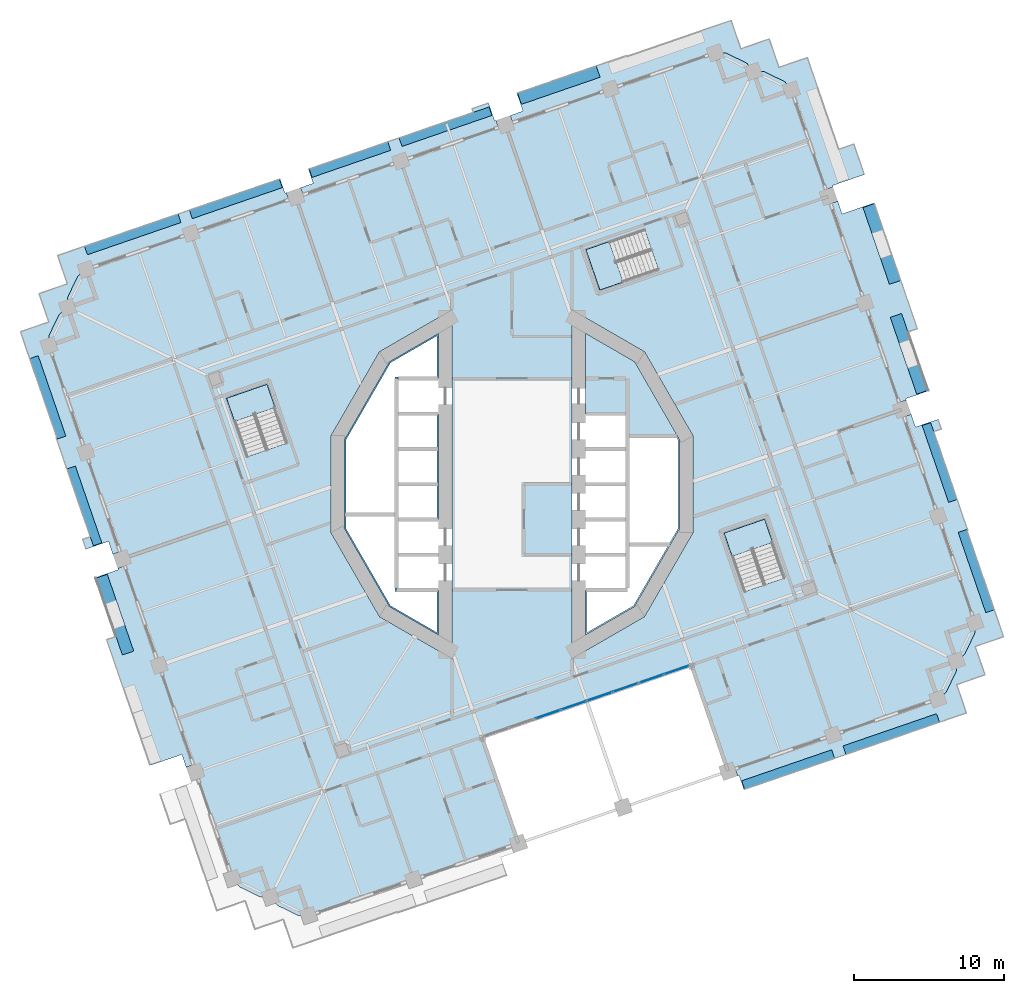
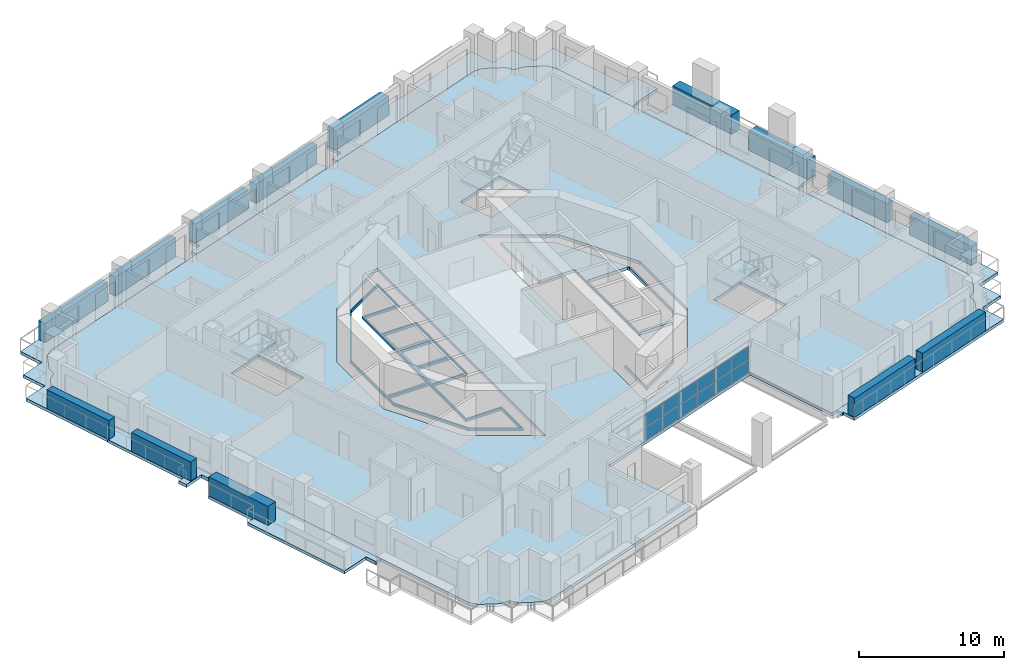
# One storey, part 7 of 22: 26 plates, 12 slabs, 4 elements without a shape of their own.
"""IFC4 building model written with IfcOpenShell, lengths in metres."""

from ifc_helpers import new_model, si_unit, direction, frame, origin, origin_2d, place, context, subcontext, project, spatial, polyline, rectangle, outline, extrude, material, layer, layer_set, type_object, element, aggregate, save


model = new_model("IFC4")

# Units and contexts
model_context = context("Model", 3, precision=1e-05, world=origin(), true_north=direction((0.0, 1.0)))
body_context = subcontext(model_context, "Body", "Model", "MODEL_VIEW")
ifc_project = project(units=[si_unit("LENGTHUNIT", "METRE"), si_unit("AREAUNIT", "SQUARE_METRE"), si_unit("VOLUMEUNIT", "CUBIC_METRE"), si_unit("PLANEANGLEUNIT", "RADIAN"), si_unit("MASSUNIT", "GRAM", prefix="KILO")], contexts=[model_context])

# Site, building, storey
site_placement = place(None, origin())
site = spatial("IfcSite", under=ifc_project, at=site_placement, CompositionType="ELEMENT")
building_placement = place(site_placement, origin())
building = spatial("IfcBuilding", under=site, at=building_placement, Name="Cantera Rosa Tower", CompositionType="ELEMENT")
storey_placement = place(building_placement, frame((0.0, 0.0, 107.89990234375)))
storey = spatial("IfcBuildingStorey", under=building, at=storey_placement, Name="L21", CompositionType="ELEMENT", Elevation=107.89990234375)

# Slabs
ifc_material_1 = material(Name="Concrete C35/45", Category="concrete")
ifc_layer_1 = layer(ifc_material_1, 0.25)
ifc_layer_set_1 = layer_set([ifc_layer_1], Name="COMPOSITE FLOOR SLAB 250 C35/45")
slab_type_1 = type_object("IfcSlabType", Name="COMPOSITE FLOOR SLAB 250 C35/45", PredefinedType="FLOOR", material=ifc_layer_set_1)
slab_1_placement = place(storey_placement, frame((0.0, 0.0, -0.25)))
element("IfcSlab", 1, at=slab_1_placement, inside=storey, type_object=slab_type_1, Name="SLAB L21 floor 1", PredefinedType="FLOOR", context=body_context, shape_type="SweptSolid", body=[
    extrude(outline(polyline([(-7.699951171875, -7.050048828125), (-4.89990234375, -7.050048828125), (-4.89990234375, -10.07373046875), (-8.179931640625, -8.179931640625), (-11.174072265625, -2.994140625), (-11.174072265625, 2.994140625), (-8.179931640625, 8.179931640625), (-4.89990234375, 10.07373046875), (-4.89990234375, 7.050048828125), (-7.699951171875, 7.050048828125), (-7.699951171875, 4.699951171875), (-4.89990234375, 4.699951171875), (-4.89990234375, -2.35009765625), (-7.699951171875, -2.35009765625), (-7.699951171875, -4.699951171875), (-7.699951171875, -7.050048828125)]), holes=[polyline([(-5.0, -9.900390625), (-5.0, -7.14990234375), (-7.800048828125, -7.14990234375), (-7.800048828125, -2.449951171875), (-7.800048828125, -2.25), (-7.800048828125, -2.11474609375), (-11.07421875, -2.11474609375), (-11.07421875, -2.96728515625), (-8.106689453125, -8.106689453125), (-5.0, -9.900390625)]), polyline([(-7.60009765625, -0.10009765625), (-7.60009765625, -2.25), (-5.0, -2.25), (-5.0, -0.10009765625), (-7.60009765625, -0.10009765625)]), polyline([(-7.60009765625, 0.10009765625), (-5.0, 0.10009765625), (-5.0, 2.25), (-7.60009765625, 2.25), (-7.60009765625, 0.10009765625)]), polyline([(-7.60009765625, 2.449951171875), (-5.0, 2.449951171875), (-5.0, 4.60009765625), (-7.60009765625, 4.60009765625), (-7.60009765625, 2.449951171875)]), polyline([(-8.106689453125, 8.106689453125), (-11.07421875, 2.96728515625), (-11.07421875, -1.914794921875), (-7.800048828125, -1.914794921875), (-7.800048828125, 2.25), (-7.800048828125, 2.449951171875), (-7.800048828125, 7.14990234375), (-5.0, 7.14990234375), (-5.0, 9.900390625), (-8.106689453125, 8.106689453125)])]), origin(), (0.0, 0.0, 1.0), 0.25),
])
slab_2_placement = place(storey_placement, frame((0.0, 0.0, -0.25)))
element("IfcSlab", 2, at=slab_2_placement, inside=storey, type_object=slab_type_1, Name="SLAB L21 floor 2", PredefinedType="FLOOR", context=body_context, shape_type="SweptSolid", body=[
    extrude(outline(polyline([(-14.334716796875, -28.7451171875), (-15.605712890625, -28.125), (-15.631591796875, -28.111083984375), (-15.65576171875, -28.09423828125), (-15.67822265625, -28.075439453125), (-15.698974609375, -28.05419921875), (-16.109619140625, -27.54541015625), (-16.763671875, -27.534912109375), (-16.79296875, -27.53173828125), (-16.82177734375, -27.525634765625), (-16.849609375, -27.516845703125), (-16.876708984375, -27.505126953125), (-18.14794921875, -26.88525390625), (-18.173583984375, -26.87109375), (-18.197998046875, -26.8544921875), (-18.220458984375, -26.83544921875), (-18.240966796875, -26.814453125), (-18.65185546875, -26.3056640625), (-18.948974609375, -25.443115234375), (-30.893310546875, 9.245849609375), (-30.8828125, 9.899658203125), (-30.87939453125, 9.928955078125), (-30.873291015625, 9.957763671875), (-30.864501953125, 9.98583984375), (-30.852783203125, 10.012939453125), (-30.23291015625, 11.283935546875), (-30.21875, 11.309814453125), (-30.2021484375, 11.333984375), (-30.18310546875, 11.356689453125), (-30.162109375, 11.377197265625), (-29.6533203125, 11.7880859375), (-29.642822265625, 12.44189453125), (-29.6396484375, 12.47119140625), (-29.633544921875, 12.5), (-29.62451171875, 12.528076171875), (-29.613037109375, 12.55517578125), (-28.9931640625, 13.826171875), (-28.97900390625, 13.85205078125), (-28.962158203125, 13.876220703125), (-28.943359375, 13.898681640625), (-28.922119140625, 13.91943359375), (-28.41357421875, 14.330078125), (-27.55078125, 14.627197265625), (13.567626953125, 28.785400390625), (14.221435546875, 28.77490234375), (14.250732421875, 28.771728515625), (14.279541015625, 28.765625), (14.3076171875, 28.756591796875), (14.334716796875, 28.7451171875), (15.605712890625, 28.125), (15.631591796875, 28.111083984375), (15.65576171875, 28.09423828125), (15.67822265625, 28.075439453125), (15.698974609375, 28.05419921875), (16.109619140625, 27.54541015625), (16.763671875, 27.534912109375), (16.79296875, 27.53173828125), (16.82177734375, 27.525634765625), (16.849609375, 27.516845703125), (16.876708984375, 27.505126953125), (18.14794921875, 26.88525390625), (18.173583984375, 26.87109375), (18.197998046875, 26.8544921875), (18.220458984375, 26.83544921875), (18.240966796875, 26.814453125), (18.65185546875, 26.3056640625), (18.948974609375, 25.443115234375), (30.893310546875, -9.245849609375), (30.8828125, -9.899658203125), (30.87939453125, -9.928955078125), (30.873291015625, -9.957763671875), (30.864501953125, -9.98583984375), (30.852783203125, -10.012939453125), (30.23291015625, -11.283935546875), (30.21875, -11.309814453125), (30.2021484375, -11.333984375), (30.18310546875, -11.356689453125), (30.162109375, -11.377197265625), (29.6533203125, -11.7880859375), (29.642822265625, -12.44189453125), (29.6396484375, -12.47119140625), (29.633544921875, -12.5), (29.62451171875, -12.528076171875), (29.613037109375, -12.55517578125), (28.9931640625, -13.826171875), (28.97900390625, -13.85205078125), (28.962158203125, -13.876220703125), (28.943359375, -13.898681640625), (28.922119140625, -13.91943359375), (28.41357421875, -14.330078125), (27.55078125, -14.627197265625), (14.419921875, -19.148681640625), (11.97802734375, -12.05712890625), (-2.015625, -16.87548828125), (0.426025390625, -23.967041015625), (-13.567626953125, -28.785400390625), (-14.221435546875, -28.77490234375), (-14.250732421875, -28.771728515625), (-14.279541015625, -28.765625), (-14.3076171875, -28.756591796875), (-14.334716796875, -28.7451171875)]), holes=[polyline([(-8.8388671875, 8.8388671875), (-12.07421875, 3.235107421875), (-12.07421875, -3.235107421875), (-8.8388671875, -8.8388671875), (-4.0, -11.632568359375), (-4.0, 11.632568359375), (-8.8388671875, 8.8388671875)]), polyline([(-17.695556640625, 1.82373046875), (-15.000732421875, 2.751708984375), (-16.347900390625, 6.6640625), (-19.042724609375, 5.736083984375), (-17.695556640625, 1.82373046875)]), polyline([(15.50439453125, -7.17626953125), (18.19921875, -6.248291015625), (16.85205078125, -2.3359375), (14.1572265625, -3.263916015625), (15.50439453125, -7.17626953125)]), polyline([(4.0, -11.632568359375), (8.8388671875, -8.8388671875), (12.07421875, -3.235107421875), (12.07421875, 3.235107421875), (8.8388671875, 8.8388671875), (4.0, 11.632568359375), (4.0, -11.632568359375)]), polyline([(9.7763671875, 14.304443359375), (8.848388671875, 16.999267578125), (4.935791015625, 15.652099609375), (5.86376953125, 12.957275390625), (9.7763671875, 14.304443359375)])]), origin(), (0.0, 0.0, 1.0), 0.25),
])
slab_3_placement = place(storey_placement, frame((0.0, 0.0, -0.25)))
element("IfcSlab", 3, at=slab_3_placement, inside=storey, type_object=slab_type_1, Name="SLAB L21 floor 3", PredefinedType="FLOOR", context=body_context, shape_type="SweptSolid", body=[
    extrude(outline(polyline([(4.89990234375, 4.699951171875), (4.89990234375, 10.07373046875), (8.179931640625, 8.179931640625), (11.174072265625, 2.994140625), (11.174072265625, -2.994140625), (8.179931640625, -8.179931640625), (4.89990234375, -10.07373046875), (4.89990234375, -7.050048828125), (5.0927734375, -7.050048828125), (5.0, -7.14990234375), (5.0, -9.900390625), (8.106689453125, -8.106689453125), (10.403076171875, -4.12939453125), (7.800048828125, -4.12939453125), (7.699951171875, -4.2373046875), (7.699951171875, -2.35009765625), (7.699951171875, 0.0), (7.699951171875, 2.35009765625), (7.699951171875, 4.699951171875), (4.89990234375, 4.699951171875)]), holes=[polyline([(7.800048828125, 3.12353515625), (7.800048828125, 2.449951171875), (7.800048828125, 2.25), (7.800048828125, -2.25), (7.800048828125, -2.449951171875), (7.800048828125, -3.929443359375), (10.5185546875, -3.929443359375), (11.07421875, -2.96728515625), (11.07421875, 2.96728515625), (10.98388671875, 3.12353515625), (7.800048828125, 3.12353515625)])]), origin(), (0.0, 0.0, 1.0), 0.25),
])

# Curtain wall, plates
ifc_material_2 = material(Name="Aluminium frame with clear glass", Category="aluminium")
curtain_wall_type = type_object("IfcCurtainWallType", Name="CW1 TERRACE POCKET GLAZING", PredefinedType="NOTDEFINED", material=ifc_material_2)
curtain_wall_placement = place(storey_placement, origin())
curtain_wall = element("IfcCurtainWall", 4, at=curtain_wall_placement, inside=storey, type_object=curtain_wall_type, Name="CW1 CW1", PredefinedType="NOTDEFINED")
ifc_material_3 = material(Name="Aluminium frame with clear glass", Category="aluminium")
ifc_layer_2 = layer(ifc_material_3, 0.028076171875)
ifc_layer_set_2 = layer_set([ifc_layer_2], Name="CW-PANEL POCKET")
plate_type_1 = type_object("IfcPlateType", Name="CW-PANEL POCKET", PredefinedType="CURTAIN_PANEL", material=ifc_layer_set_2)
plate_1_placement = place(storey_placement, frame((2.401611328125, -15.354736328125, 0.06005859375), z_axis=(0.0, 0.0, 1.0), x_axis=(0.945518575605, 0.325568154441, 0.0)))
plate_1 = element("IfcPlate", 5, at=plate_1_placement, type_object=plate_type_1, Name="CW1 panel 3.1", PredefinedType="CURTAIN_PANEL", context=body_context, shape_type="SweptSolid", body=[
    extrude(rectangle(XDim=1.7587890625, YDim=0.028076171875, at=origin_2d()), origin(), (0.0, 0.0, 1.0), 1.0791015625),
])
plate_2_placement = place(storey_placement, frame((2.401611328125, -15.354736328125, 1.198974609375), z_axis=(0.0, 0.0, 1.0), x_axis=(0.945518575605, 0.325568154441, 0.0)))
plate_2 = element("IfcPlate", 6, at=plate_2_placement, type_object=plate_type_1, Name="CW1 panel 3.2", PredefinedType="CURTAIN_PANEL", context=body_context, shape_type="SweptSolid", body=[
    extrude(rectangle(XDim=1.7587890625, YDim=0.028076171875, at=origin_2d()), origin(), (0.0, 0.0, 1.0), 1.0791015625),
])
plate_3_placement = place(storey_placement, frame((4.121337890625, -14.762451171875, 0.06005859375), z_axis=(0.0, 0.0, 1.0), x_axis=(0.945518575605, 0.325568154441, 0.0)))
plate_3 = element("IfcPlate", 7, at=plate_3_placement, type_object=plate_type_1, Name="CW1 panel 4.1", PredefinedType="CURTAIN_PANEL", context=body_context, shape_type="SweptSolid", body=[
    extrude(rectangle(XDim=1.7587890625, YDim=0.028076171875, at=origin_2d()), origin(), (0.0, 0.0, 1.0), 1.0791015625),
])
plate_4_placement = place(storey_placement, frame((4.121337890625, -14.762451171875, 1.198974609375), z_axis=(0.0, 0.0, 1.0), x_axis=(0.945518575605, 0.325568154441, 0.0)))
plate_4 = element("IfcPlate", 8, at=plate_4_placement, type_object=plate_type_1, Name="CW1 panel 4.2", PredefinedType="CURTAIN_PANEL", context=body_context, shape_type="SweptSolid", body=[
    extrude(rectangle(XDim=1.7587890625, YDim=0.028076171875, at=origin_2d()), origin(), (0.0, 0.0, 1.0), 1.0791015625),
])
plate_5_placement = place(storey_placement, frame((5.841064453125, -14.17041015625, 0.06005859375), z_axis=(0.0, 0.0, 1.0), x_axis=(0.945518575605, 0.325568154441, 0.0)))
plate_5 = element("IfcPlate", 9, at=plate_5_placement, type_object=plate_type_1, Name="CW1 panel 5.1", PredefinedType="CURTAIN_PANEL", context=body_context, shape_type="SweptSolid", body=[
    extrude(rectangle(XDim=1.7587890625, YDim=0.028076171875, at=origin_2d()), origin(), (0.0, 0.0, 1.0), 1.0791015625),
])
plate_6_placement = place(storey_placement, frame((5.841064453125, -14.17041015625, 1.198974609375), z_axis=(0.0, 0.0, 1.0), x_axis=(0.945518575605, 0.325568154441, 0.0)))
plate_6 = element("IfcPlate", 10, at=plate_6_placement, type_object=plate_type_1, Name="CW1 panel 5.2", PredefinedType="CURTAIN_PANEL", context=body_context, shape_type="SweptSolid", body=[
    extrude(rectangle(XDim=1.7587890625, YDim=0.028076171875, at=origin_2d()), origin(), (0.0, 0.0, 1.0), 1.0791015625),
])
plate_7_placement = place(storey_placement, frame((7.560791015625, -13.578125, 0.06005859375), z_axis=(0.0, 0.0, 1.0), x_axis=(0.945518575605, 0.325568154441, 0.0)))
plate_7 = element("IfcPlate", 11, at=plate_7_placement, type_object=plate_type_1, Name="CW1 panel 6.1", PredefinedType="CURTAIN_PANEL", context=body_context, shape_type="SweptSolid", body=[
    extrude(rectangle(XDim=1.7587890625, YDim=0.028076171875, at=origin_2d()), origin(), (0.0, 0.0, 1.0), 1.0791015625),
])
plate_8_placement = place(storey_placement, frame((7.560791015625, -13.578125, 1.198974609375), z_axis=(0.0, 0.0, 1.0), x_axis=(0.945518575605, 0.325568154441, 0.0)))
plate_8 = element("IfcPlate", 12, at=plate_8_placement, type_object=plate_type_1, Name="CW1 panel 6.2", PredefinedType="CURTAIN_PANEL", context=body_context, shape_type="SweptSolid", body=[
    extrude(rectangle(XDim=1.7587890625, YDim=0.028076171875, at=origin_2d()), origin(), (0.0, 0.0, 1.0), 1.0791015625),
])
plate_9_placement = place(storey_placement, frame((9.2802734375, -12.986083984375, 0.06005859375), z_axis=(0.0, 0.0, 1.0), x_axis=(0.945518575605, 0.325568154441, 0.0)))
plate_9 = element("IfcPlate", 13, at=plate_9_placement, type_object=plate_type_1, Name="CW1 panel 7.1", PredefinedType="CURTAIN_PANEL", context=body_context, shape_type="SweptSolid", body=[
    extrude(rectangle(XDim=1.7587890625, YDim=0.028076171875, at=origin_2d()), origin(), (0.0, 0.0, 1.0), 1.0791015625),
])
plate_10_placement = place(storey_placement, frame((9.2802734375, -12.986083984375, 1.198974609375), z_axis=(0.0, 0.0, 1.0), x_axis=(0.945518575605, 0.325568154441, 0.0)))
plate_10 = element("IfcPlate", 14, at=plate_10_placement, type_object=plate_type_1, Name="CW1 panel 7.2", PredefinedType="CURTAIN_PANEL", context=body_context, shape_type="SweptSolid", body=[
    extrude(rectangle(XDim=1.7587890625, YDim=0.028076171875, at=origin_2d()), origin(), (0.0, 0.0, 1.0), 1.0791015625),
])
plate_11_placement = place(storey_placement, frame((10.98583984375, -12.39892578125, 0.06005859375), z_axis=(0.0, 0.0, 1.0), x_axis=(0.945518575605, 0.325568154441, 0.0)))
plate_11 = element("IfcPlate", 15, at=plate_11_placement, type_object=plate_type_1, Name="CW1 panel 8.1", PredefinedType="CURTAIN_PANEL", context=body_context, shape_type="SweptSolid", body=[
    extrude(rectangle(XDim=1.728759765625, YDim=0.028076171875, at=origin_2d()), origin(), (0.0, 0.0, 1.0), 1.0791015625),
])
plate_12_placement = place(storey_placement, frame((10.98583984375, -12.39892578125, 1.198974609375), z_axis=(0.0, 0.0, 1.0), x_axis=(0.945518575605, 0.325568154441, 0.0)))
plate_12 = element("IfcPlate", 16, at=plate_12_placement, type_object=plate_type_1, Name="CW1 panel 8.2", PredefinedType="CURTAIN_PANEL", context=body_context, shape_type="SweptSolid", body=[
    extrude(rectangle(XDim=1.728759765625, YDim=0.028076171875, at=origin_2d()), origin(), (0.0, 0.0, 1.0), 1.0791015625),
])
aggregate(curtain_wall, [plate_1, plate_2, plate_3, plate_4, plate_5, plate_6, plate_7, plate_8, plate_9, plate_10, plate_11, plate_12])

# Slabs
ifc_material_4 = material(Name="Concrete C35/45", Category="concrete")
ifc_layer_3 = layer(ifc_material_4, 0.25)
ifc_layer_set_3 = layer_set([ifc_layer_3], Name="LOGGIA SLAB 250 C35/45")
slab_type_2 = type_object("IfcSlabType", Name="LOGGIA SLAB 250 C35/45", PredefinedType="FLOOR", material=ifc_layer_set_3)
slab_4_placement = place(storey_placement, frame((0.0, 0.0, -0.25)))
element("IfcSlab", 17, at=slab_4_placement, inside=storey, type_object=slab_type_2, Name="LOGGIA SLAB L21 1", PredefinedType="FLOOR", context=body_context, shape_type="SweptSolid", body=[
    extrude(outline(polyline([(-30.416015625, 3.096923828125), (-30.3681640625, 3.11328125), (-32.3115234375, 8.757568359375), (-32.7998046875, 10.17578125), (-31.381591796875, 10.6640625), (-30.908935546875, 10.826904296875), (-31.071533203125, 11.2998046875), (-31.56005859375, 12.718017578125), (-30.1416015625, 13.206298828125), (-29.6689453125, 13.369140625), (-29.831787109375, 13.841796875), (-30.320068359375, 15.260009765625), (-28.90185546875, 15.74853515625), (-23.3232421875, 17.669189453125), (-20.48681640625, 18.64599609375), (-16.326416015625, 20.07861328125), (-15.4755859375, 20.37158203125), (-15.14990234375, 19.426025390625), (-15.055419921875, 19.45849609375), (-14.892578125, 18.98583984375), (-27.55078125, 14.627197265625), (-28.41357421875, 14.330078125), (-28.922119140625, 13.91943359375), (-28.943359375, 13.898681640625), (-28.962158203125, 13.876220703125), (-28.97900390625, 13.85205078125), (-28.9931640625, 13.826171875), (-29.613037109375, 12.55517578125), (-29.62451171875, 12.528076171875), (-29.633544921875, 12.5), (-29.6396484375, 12.47119140625), (-29.642822265625, 12.44189453125), (-29.6533203125, 11.7880859375), (-30.162109375, 11.377197265625), (-30.18310546875, 11.356689453125), (-30.2021484375, 11.333984375), (-30.21875, 11.309814453125), (-30.23291015625, 11.283935546875), (-30.852783203125, 10.012939453125), (-30.864501953125, 9.98583984375), (-30.873291015625, 9.957763671875), (-30.87939453125, 9.928955078125), (-30.8828125, 9.899658203125), (-30.893310546875, 9.245849609375), (-26.159423828125, -4.501953125), (-26.63232421875, -4.664794921875), (-26.92529296875, -3.813720703125), (-28.427734375, -4.331298828125), (-28.652099609375, -3.6796875), (-28.14306640625, -3.50439453125), (-30.416015625, 3.096923828125)])), origin(), (0.0, 0.0, 1.0), 0.25),
])
slab_5_placement = place(storey_placement, frame((0.0, 0.0, -0.25)))
element("IfcSlab", 18, at=slab_5_placement, inside=storey, type_object=slab_type_2, Name="LOGGIA SLAB L21 2", PredefinedType="FLOOR", context=body_context, shape_type="SweptSolid", body=[
    extrude(outline(polyline([(-27.776611328125, -6.22216796875), (-26.274169921875, -5.704833984375), (-26.306640625, -5.6103515625), (-25.833984375, -5.447509765625), (-21.262939453125, -18.72265625), (-21.735595703125, -18.885498046875), (-22.02880859375, -18.034423828125), (-24.159912109375, -18.768310546875), (-27.049072265625, -10.377685546875), (-26.42041015625, -10.161376953125), (-27.776611328125, -6.22216796875)])), origin(), (0.0, 0.0, 1.0), 0.25),
])
slab_6_placement = place(storey_placement, frame((0.0, 0.0, -0.25)))
element("IfcSlab", 19, at=slab_6_placement, inside=storey, type_object=slab_type_2, Name="LOGGIA SLAB L21 4", PredefinedType="FLOOR", context=body_context, shape_type="SweptSolid", body=[
    extrude(outline(polyline([(-6.492919921875, 23.464599609375), (-2.579833984375, 24.811767578125), (-2.6650390625, 25.05908203125), (-1.56689453125, 25.43701171875), (-1.15625, 24.244384765625), (-1.061767578125, 24.277099609375), (-0.89892578125, 23.80419921875), (-13.947021484375, 19.311279296875), (-14.10986328125, 19.7841796875), (-13.2587890625, 20.0771484375), (-13.58447265625, 21.022705078125), (-13.489990234375, 21.05517578125), (-9.32958984375, 22.48779296875), (-6.492919921875, 23.464599609375)])), origin(), (0.0, 0.0, 1.0), 0.25),
])
slab_7_placement = place(storey_placement, frame((0.0, 0.0, -0.25)))
element("IfcSlab", 20, at=slab_7_placement, inside=storey, type_object=slab_type_2, Name="LOGGIA SLAB L21 5", PredefinedType="FLOOR", context=body_context, shape_type="SweptSolid", body=[
    extrude(outline(polyline([(13.01416015625, 30.392822265625), (14.62158203125, 30.9462890625), (15.1748046875, 29.3388671875), (15.272705078125, 29.05517578125), (15.556396484375, 29.15283203125), (17.16357421875, 29.706298828125), (17.717041015625, 28.09912109375), (17.814697265625, 27.815185546875), (18.098388671875, 27.9130859375), (19.705810546875, 28.466552734375), (20.25927734375, 26.859130859375), (21.81103515625, 22.352783203125), (22.8076171875, 22.69580078125), (23.5087890625, 20.6591796875), (21.377685546875, 19.92529296875), (21.41015625, 19.830810546875), (20.9375, 19.668212890625), (18.948974609375, 25.443115234375), (18.65185546875, 26.3056640625), (18.240966796875, 26.814453125), (18.220458984375, 26.83544921875), (18.197998046875, 26.8544921875), (18.173583984375, 26.87109375), (18.14794921875, 26.88525390625), (16.876708984375, 27.505126953125), (16.849609375, 27.516845703125), (16.82177734375, 27.525634765625), (16.79296875, 27.53173828125), (16.763671875, 27.534912109375), (16.109619140625, 27.54541015625), (15.698974609375, 28.05419921875), (15.67822265625, 28.075439453125), (15.65576171875, 28.09423828125), (15.631591796875, 28.111083984375), (15.605712890625, 28.125), (14.334716796875, 28.7451171875), (14.3076171875, 28.756591796875), (14.279541015625, 28.765625), (14.250732421875, 28.771728515625), (14.221435546875, 28.77490234375), (13.567626953125, 28.785400390625), (0.046630859375, 24.1298828125), (-0.1162109375, 24.6025390625), (0.73486328125, 24.8955078125), (0.32421875, 26.08837890625), (7.66259765625, 28.615234375), (7.6826171875, 28.55712890625), (13.01416015625, 30.392822265625)])), origin(), (0.0, 0.0, 1.0), 0.25),
])
slab_8_placement = place(storey_placement, frame((0.0, 0.0, -0.25)))
element("IfcSlab", 21, at=slab_8_placement, inside=storey, type_object=slab_type_2, Name="LOGGIA SLAB L21 6", PredefinedType="FLOOR", context=body_context, shape_type="SweptSolid", body=[
    extrude(outline(polyline([(27.776611328125, 6.22216796875), (26.274169921875, 5.704833984375), (26.306640625, 5.6103515625), (25.833984375, 5.447509765625), (21.262939453125, 18.72265625), (21.735595703125, 18.885498046875), (22.02880859375, 18.034423828125), (24.159912109375, 18.768310546875), (27.049072265625, 10.377685546875), (26.42041015625, 10.161376953125), (27.776611328125, 6.22216796875)])), origin(), (0.0, 0.0, 1.0), 0.25),
])
slab_9_placement = place(storey_placement, frame((0.0, 0.0, -0.25)))
element("IfcSlab", 22, at=slab_9_placement, inside=storey, type_object=slab_type_2, Name="LOGGIA SLAB L21 7", PredefinedType="FLOOR", context=body_context, shape_type="SweptSolid", body=[
    extrude(outline(polyline([(30.416015625, -3.096923828125), (30.3681640625, -3.11328125), (32.3115234375, -8.757568359375), (32.7998046875, -10.17578125), (31.381591796875, -10.6640625), (30.908935546875, -10.826904296875), (31.071533203125, -11.2998046875), (31.56005859375, -12.718017578125), (30.1416015625, -13.206298828125), (29.6689453125, -13.369140625), (29.831787109375, -13.841796875), (30.320068359375, -15.260009765625), (28.90185546875, -15.74853515625), (23.3232421875, -17.669189453125), (20.48681640625, -18.64599609375), (16.326416015625, -20.07861328125), (15.4755859375, -20.37158203125), (15.14990234375, -19.426025390625), (15.055419921875, -19.45849609375), (14.892578125, -18.98583984375), (27.55078125, -14.627197265625), (28.41357421875, -14.330078125), (28.922119140625, -13.91943359375), (28.943359375, -13.898681640625), (28.962158203125, -13.876220703125), (28.97900390625, -13.85205078125), (28.9931640625, -13.826171875), (29.613037109375, -12.55517578125), (29.62451171875, -12.528076171875), (29.633544921875, -12.5), (29.6396484375, -12.47119140625), (29.642822265625, -12.44189453125), (29.6533203125, -11.7880859375), (30.162109375, -11.377197265625), (30.18310546875, -11.356689453125), (30.2021484375, -11.333984375), (30.21875, -11.309814453125), (30.23291015625, -11.283935546875), (30.852783203125, -10.012939453125), (30.864501953125, -9.98583984375), (30.873291015625, -9.957763671875), (30.87939453125, -9.928955078125), (30.8828125, -9.899658203125), (30.893310546875, -9.245849609375), (26.159423828125, 4.501953125), (26.63232421875, 4.664794921875), (26.92529296875, 3.813720703125), (28.427734375, 4.331298828125), (28.652099609375, 3.6796875), (28.14306640625, 3.50439453125), (30.416015625, -3.096923828125)])), origin(), (0.0, 0.0, 1.0), 0.25),
])

# Plates
ifc_material_5 = material(Name="Cantera stone planter with soil", Category="masonry")
plate_type_2 = type_object("IfcPlateType", Name="PLANTER 600", PredefinedType="USERDEFINED", material=ifc_material_5)
plate_13_placement = place(storey_placement, frame((30.974609375, -5.79638671875, 0.0), z_axis=(0.0, 0.0, 1.0), x_axis=(-0.325568154457, 0.945518575599, 0.0)))
element("IfcPlate", 23, at=plate_13_placement, inside=storey, type_object=plate_type_2, Name="PLANTER L21-01", ObjectType="PLANTER", PredefinedType="USERDEFINED", context=body_context, shape_type="SweptSolid", body=[
    extrude(rectangle(XDim=5.669921875, YDim=0.60009765625, at=origin_2d()), origin(), (0.0, 0.0, 1.0), 1.60009765625),
])
plate_14_placement = place(storey_placement, frame((28.53369140625, 1.448486328125, 0.0), z_axis=(0.0, 0.0, 1.0), x_axis=(-0.325568154457, 0.945518575599, 0.0)))
element("IfcPlate", 24, at=plate_14_placement, inside=storey, type_object=plate_type_2, Name="PLANTER L21-02", ObjectType="PLANTER", PredefinedType="USERDEFINED", context=body_context, shape_type="SweptSolid", body=[
    extrude(rectangle(XDim=5.419921875, YDim=0.60009765625, at=origin_2d()), origin(), (0.0, 0.0, 1.0), 1.60009765625),
])
plate_15_placement = place(storey_placement, frame((-4.433349609375, 23.8564453125, 0.0), z_axis=(0.0, 0.0, 1.0), x_axis=(-0.945518575599, -0.325568154457, 0.0)))
element("IfcPlate", 25, at=plate_15_placement, inside=storey, type_object=plate_type_2, Name="PLANTER L21-08", ObjectType="PLANTER", PredefinedType="USERDEFINED", context=body_context, shape_type="SweptSolid", body=[
    extrude(rectangle(XDim=6.35009765625, YDim=0.60009765625, at=origin_2d()), origin(), (0.0, 0.0, 1.0), 1.60009765625),
])
plate_16_placement = place(storey_placement, frame((-10.815673828125, 21.65869140625, 0.0), z_axis=(0.0, 0.0, 1.0), x_axis=(-0.945518575599, -0.325568154457, 0.0)))
element("IfcPlate", 26, at=plate_16_placement, inside=storey, type_object=plate_type_2, Name="PLANTER L21-09", ObjectType="PLANTER", PredefinedType="USERDEFINED", context=body_context, shape_type="SweptSolid", body=[
    extrude(rectangle(XDim=5.550048828125, YDim=0.60009765625, at=origin_2d()), origin(), (0.0, 0.0, 1.0), 1.60009765625),
])
plate_17_placement = place(storey_placement, frame((-18.427001953125, 19.037841796875, 0.0), z_axis=(0.0, 0.0, 1.0), x_axis=(-0.945518575599, -0.325568154457, 0.0)))
element("IfcPlate", 27, at=plate_17_placement, inside=storey, type_object=plate_type_2, Name="PLANTER L21-10", ObjectType="PLANTER", PredefinedType="USERDEFINED", context=body_context, shape_type="SweptSolid", body=[
    extrude(rectangle(XDim=6.35009765625, YDim=0.60009765625, at=origin_2d()), origin(), (0.0, 0.0, 1.0), 1.60009765625),
])
plate_18_placement = place(storey_placement, frame((-25.3056640625, 16.66943359375, 0.0), z_axis=(0.0, 0.0, 1.0), x_axis=(-0.945518575599, -0.325568154457, 0.0)))
element("IfcPlate", 28, at=plate_18_placement, inside=storey, type_object=plate_type_2, Name="PLANTER L21-11", ObjectType="PLANTER", PredefinedType="USERDEFINED", context=body_context, shape_type="SweptSolid", body=[
    extrude(rectangle(XDim=6.60009765625, YDim=0.60009765625, at=origin_2d()), origin(), (0.0, 0.0, 1.0), 1.60009765625),
])
plate_19_placement = place(storey_placement, frame((-30.974609375, 5.79638671875, 0.0), z_axis=(0.0, 0.0, 1.0), x_axis=(0.325568154457, -0.945518575599, 0.0)))
element("IfcPlate", 29, at=plate_19_placement, inside=storey, type_object=plate_type_2, Name="PLANTER L21-12", ObjectType="PLANTER", PredefinedType="USERDEFINED", context=body_context, shape_type="SweptSolid", body=[
    extrude(rectangle(XDim=5.669921875, YDim=0.60009765625, at=origin_2d()), origin(), (0.0, 0.0, 1.0), 1.60009765625),
])
plate_20_placement = place(storey_placement, frame((-28.53369140625, -1.448486328125, 0.0), z_axis=(0.0, 0.0, 1.0), x_axis=(0.325568154457, -0.945518575599, 0.0)))
element("IfcPlate", 30, at=plate_20_placement, inside=storey, type_object=plate_type_2, Name="PLANTER L21-13", ObjectType="PLANTER", PredefinedType="USERDEFINED", context=body_context, shape_type="SweptSolid", body=[
    extrude(rectangle(XDim=5.419921875, YDim=0.60009765625, at=origin_2d()), origin(), (0.0, 0.0, 1.0), 1.60009765625),
])
plate_21_placement = place(storey_placement, frame((18.427001953125, -19.037841796875, 0.0), z_axis=(0.0, 0.0, 1.0), x_axis=(0.945518575599, 0.325568154457, 0.0)))
element("IfcPlate", 31, at=plate_21_placement, inside=storey, type_object=plate_type_2, Name="PLANTER L21-21", ObjectType="PLANTER", PredefinedType="USERDEFINED", context=body_context, shape_type="SweptSolid", body=[
    extrude(rectangle(XDim=6.35009765625, YDim=0.60009765625, at=origin_2d()), origin(), (0.0, 0.0, 1.0), 1.60009765625),
])
plate_22_placement = place(storey_placement, frame((25.3056640625, -16.66943359375, 0.0), z_axis=(0.0, 0.0, 1.0), x_axis=(0.945518575599, 0.325568154457, 0.0)))
element("IfcPlate", 32, at=plate_22_placement, inside=storey, type_object=plate_type_2, Name="PLANTER L21-22", ObjectType="PLANTER", PredefinedType="USERDEFINED", context=body_context, shape_type="SweptSolid", body=[
    extrude(rectangle(XDim=6.60009765625, YDim=0.60009765625, at=origin_2d()), origin(), (0.0, 0.0, 1.0), 1.60009765625),
])
ifc_material_6 = material(Name="Cantera stone planter with soil", Category="masonry")
plate_type_3 = type_object("IfcPlateType", Name="PLANTER 800", PredefinedType="USERDEFINED", material=ifc_material_6)
for number, where, z_axis, x_axis, name in (
    (33, (26.5, 8.70166015625, 0.0), (0.0, 0.0, 1.0), (-0.325568154457, 0.945518575599, 0.0), "PLANTER L21-03"),
    (34, (24.68017578125, 16.0283203125, 0.0), (0.0, 0.0, 1.0), (-0.325568154457, 0.945518575599, 0.0), "PLANTER L21-04"),
):
    element("IfcPlate", number, at=place(storey_placement, frame(where, z_axis=z_axis, x_axis=x_axis)), inside=storey, type_object=plate_type_3, Name=name, ObjectType="PLANTER", PredefinedType="USERDEFINED", context=body_context, shape_type="SweptSolid", body=[
        extrude(rectangle(XDim=5.419921875, YDim=0.800048828125, at=origin_2d()), origin(), (0.0, 0.0, 1.0), 1.60009765625),
    ])
plate_23_placement = place(storey_placement, frame((3.12548828125, 26.6298828125, 0.0), z_axis=(0.0, 0.0, 1.0), x_axis=(-0.945518575599, -0.325568154457, 0.0)))
element("IfcPlate", 35, at=plate_23_placement, inside=storey, type_object=plate_type_3, Name="PLANTER L21-07", ObjectType="PLANTER", PredefinedType="USERDEFINED", context=body_context, shape_type="SweptSolid", body=[
    extrude(rectangle(XDim=5.550048828125, YDim=0.800048828125, at=origin_2d()), origin(), (0.0, 0.0, 1.0), 1.60009765625),
])
plate_24_placement = place(storey_placement, frame((-26.5, -8.70166015625, 0.0), z_axis=(0.0, 0.0, 1.0), x_axis=(0.325568154457, -0.945518575599, 0.0)))
element("IfcPlate", 36, at=plate_24_placement, inside=storey, type_object=plate_type_3, Name="PLANTER L21-14", ObjectType="PLANTER", PredefinedType="USERDEFINED", context=body_context, shape_type="SweptSolid", body=[
    extrude(rectangle(XDim=5.419921875, YDim=0.800048828125, at=origin_2d()), origin(), (0.0, 0.0, 1.0), 1.60009765625),
])

# Stair, slab
ifc_material_7 = material(Name="Concrete C35/45", Category="concrete")
stair_type = type_object("IfcStairType", Name="EXIT STAIR 1350 DOGLEG", PredefinedType="HALF_TURN_STAIR", material=ifc_material_7)
stair_1_placement = place(storey_placement, origin())
stair_1 = element("IfcStair", 37, at=stair_1_placement, inside=storey, type_object=stair_type, Name="L21 ST-21", PredefinedType="HALF_TURN_STAIR")
ifc_material_8 = material(Name="Concrete C35/45", Category="concrete")
ifc_layer_4 = layer(ifc_material_8, 0.199951171875)
ifc_layer_set_4 = layer_set([ifc_layer_4], Name="STAIR LANDING 200")
slab_type_3 = type_object("IfcSlabType", Name="STAIR LANDING 200", PredefinedType="LANDING", material=ifc_layer_set_4)
slab_10_placement = place(storey_placement, frame((0.0, 0.0, 1.7001953125)))
slab_10 = element("IfcSlab", 38, at=slab_10_placement, type_object=slab_type_3, Name="ST-21 landing 1", PredefinedType="LANDING", context=body_context, shape_type="SweptSolid", body=[
    extrude(outline(polyline([(6.488525390625, 16.1865234375), (4.935791015625, 15.652099609375), (5.86376953125, 12.957275390625), (7.416259765625, 13.491943359375), (6.488525390625, 16.1865234375)])), origin(), (0.0, 0.0, 1.0), 0.199951171875),
])
aggregate(stair_1, [slab_10])

stair_2_placement = place(storey_placement, origin())
stair_2 = element("IfcStair", 39, at=stair_2_placement, inside=storey, type_object=stair_type, Name="L21 ST-22", PredefinedType="HALF_TURN_STAIR")
slab_11_placement = place(storey_placement, frame((0.0, 0.0, 1.7001953125)))
slab_11 = element("IfcSlab", 40, at=slab_11_placement, type_object=slab_type_3, Name="ST-22 landing 1", PredefinedType="LANDING", context=body_context, shape_type="SweptSolid", body=[
    extrude(outline(polyline([(-15.8134765625, 5.111572265625), (-16.347900390625, 6.6640625), (-19.042724609375, 5.736328125), (-18.508056640625, 4.18359375), (-15.8134765625, 5.111572265625)])), origin(), (0.0, 0.0, 1.0), 0.199951171875),
])
aggregate(stair_2, [slab_11])

stair_3_placement = place(storey_placement, origin())
stair_3 = element("IfcStair", 41, at=stair_3_placement, inside=storey, type_object=stair_type, Name="L21 ST-23", PredefinedType="HALF_TURN_STAIR")
slab_12_placement = place(storey_placement, frame((0.0, 0.0, 1.7001953125)))
slab_12 = element("IfcSlab", 42, at=slab_12_placement, type_object=slab_type_3, Name="ST-23 landing 1", PredefinedType="LANDING", context=body_context, shape_type="SweptSolid", body=[
    extrude(outline(polyline([(17.38671875, -3.888427734375), (16.85205078125, -2.3359375), (14.1572265625, -3.263671875), (14.69189453125, -4.81640625), (17.38671875, -3.888427734375)])), origin(), (0.0, 0.0, 1.0), 0.199951171875),
])
aggregate(stair_3, [slab_12])

save(model, "model.ifc")
